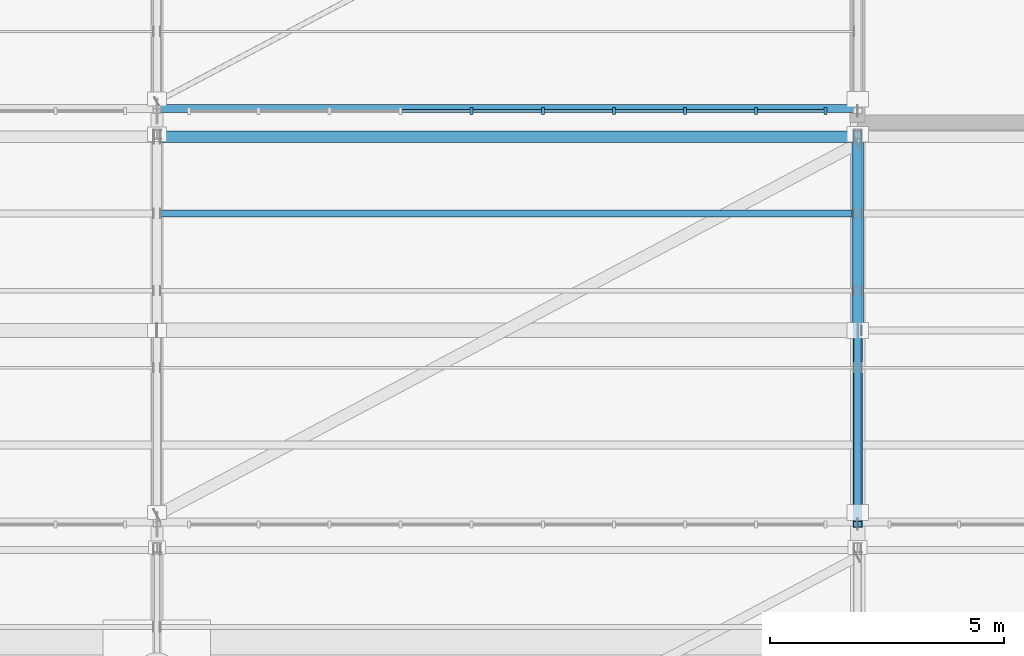
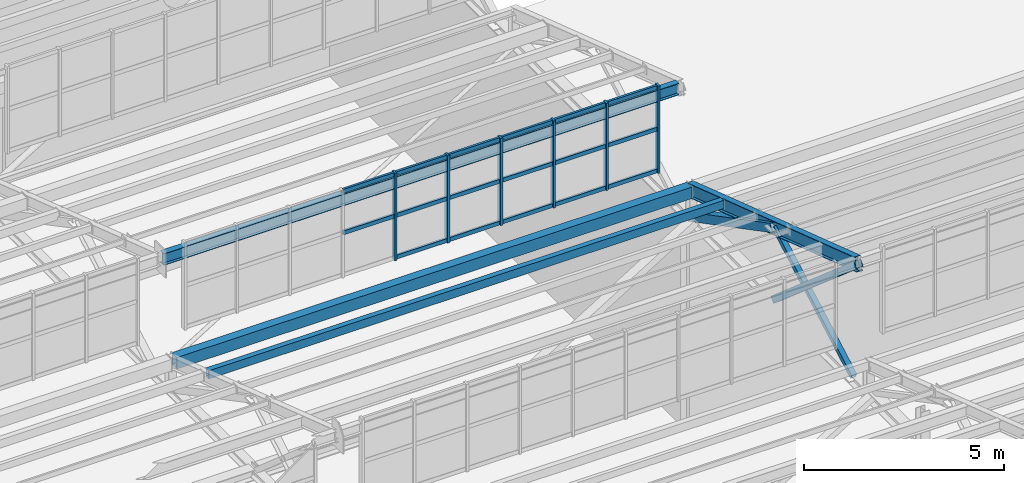
# One storey, part 75 of 285: 26 members, 4 beams, 1 element without a shape of its own.
"""IFC4 building model written with IfcOpenShell, lengths in metres."""

from ifc_helpers import new_model, si_unit, direction, frame, origin, origin_2d, place, context, subcontext, project, spatial, rectangle, hollow_rectangle, i_section, extrude, material, material_profile, profile_set, type_object, element, aggregate, save


model = new_model("IFC4")

# Units and contexts
model_context = context("Model", 3, precision=1e-05, world=origin(), true_north=direction((0.0, 1.0)))
body_context = subcontext(model_context, "Body", "Model", "MODEL_VIEW")
ifc_project = project(units=[si_unit("LENGTHUNIT", "METRE"), si_unit("AREAUNIT", "SQUARE_METRE"), si_unit("VOLUMEUNIT", "CUBIC_METRE"), si_unit("PLANEANGLEUNIT", "RADIAN"), si_unit("MASSUNIT", "GRAM", prefix="KILO")], contexts=[model_context])

# Site, building, storey
site_placement = place(None, origin())
site = spatial("IfcSite", under=ifc_project, at=site_placement, CompositionType="ELEMENT")
building_placement = place(site_placement, origin())
building = spatial("IfcBuilding", under=site, at=building_placement, Name="Solanera Park Tramway Depot", CompositionType="ELEMENT")
storey_placement = place(building_placement, origin())
storey = spatial("IfcBuildingStorey", under=building, at=storey_placement, Name="L00", CompositionType="ELEMENT", Elevation=0.0)

# Curtain wall, members
ifc_material_1 = material(Name="Bronze-anodised thermally broken aluminium curtain wall", Category="aluminium")
curtain_wall_type = type_object("IfcCurtainWallType", Name="Sawtooth Clerestory Monitor Curtain Wall", PredefinedType="NOTDEFINED", material=ifc_material_1)
curtain_wall_placement = place(storey_placement, origin())
curtain_wall = element("IfcCurtainWall", 1, at=curtain_wall_placement, inside=storey, type_object=curtain_wall_type, Name="L00 Sawtooth Clerestory Monitor Curtain Wall #062", PredefinedType="NOTDEFINED")
ifc_material_2 = material(Name="Bronze-anodised structural aluminium 6063-T6", Category="aluminium")
ifc_material_profile_1 = material_profile(ifc_material_2, rectangle(XDim=0.06494140625, YDim=0.14990234375, at=origin_2d()), Name="Curtain Wall Mullion 65x150")
ifc_profile_set_1 = profile_set([ifc_material_profile_1], Name="Bronze-anodised structural aluminium 6063-T6")
member_type_1 = type_object("IfcMemberType", Name="Curtain Wall Mullion 65x150", PredefinedType="MULLION", material=ifc_profile_set_1)
member_1_placement = place(storey_placement, frame((51.739013671875, 126.550048828125, 7.75), z_axis=(0.0, 0.0, 1.0), x_axis=(1.0, 0.0, 0.0)))
member_1 = element("IfcMember", 2, at=member_1_placement, type_object=member_type_1, Name="CW-L00-062 Mullion 5", PredefinedType="MULLION", context=body_context, shape_type="SweptSolid", body=[
    extrude(rectangle(XDim=0.06494140625, YDim=0.14990234375, at=origin_2d()), origin(), (0.0, 0.0, 1.0), 2.6611328125),
])
member_2_placement = place(storey_placement, frame((53.260986328125, 126.550048828125, 7.75), z_axis=(0.0, 0.0, 1.0), x_axis=(1.0, 0.0, 0.0)))
member_2 = element("IfcMember", 3, at=member_2_placement, type_object=member_type_1, Name="CW-L00-062 Mullion 6", PredefinedType="MULLION", context=body_context, shape_type="SweptSolid", body=[
    extrude(rectangle(XDim=0.06494140625, YDim=0.14990234375, at=origin_2d()), origin(), (0.0, 0.0, 1.0), 2.6611328125),
])
member_3_placement = place(storey_placement, frame((54.783203125, 126.550048828125, 7.75), z_axis=(0.0, 0.0, 1.0), x_axis=(1.0, 0.0, 0.0)))
member_3 = element("IfcMember", 4, at=member_3_placement, type_object=member_type_1, Name="CW-L00-062 Mullion 7", PredefinedType="MULLION", context=body_context, shape_type="SweptSolid", body=[
    extrude(rectangle(XDim=0.06494140625, YDim=0.14990234375, at=origin_2d()), origin(), (0.0, 0.0, 1.0), 2.6611328125),
])
member_4_placement = place(storey_placement, frame((56.3056640625, 126.550048828125, 7.75), z_axis=(0.0, 0.0, 1.0), x_axis=(1.0, 0.0, 0.0)))
member_4 = element("IfcMember", 5, at=member_4_placement, type_object=member_type_1, Name="CW-L00-062 Mullion 8", PredefinedType="MULLION", context=body_context, shape_type="SweptSolid", body=[
    extrude(rectangle(XDim=0.06494140625, YDim=0.14990234375, at=origin_2d()), origin(), (0.0, 0.0, 1.0), 2.6611328125),
])
member_5_placement = place(storey_placement, frame((57.827880859375, 126.550048828125, 7.75), z_axis=(0.0, 0.0, 1.0), x_axis=(1.0, 0.0, 0.0)))
member_5 = element("IfcMember", 6, at=member_5_placement, type_object=member_type_1, Name="CW-L00-062 Mullion 9", PredefinedType="MULLION", context=body_context, shape_type="SweptSolid", body=[
    extrude(rectangle(XDim=0.06494140625, YDim=0.14990234375, at=origin_2d()), origin(), (0.0, 0.0, 1.0), 2.6611328125),
])
member_6_placement = place(storey_placement, frame((59.3173828125, 126.550048828125, 7.75), z_axis=(0.0, 0.0, 1.0), x_axis=(1.0, 0.0, 0.0)))
member_6 = element("IfcMember", 7, at=member_6_placement, type_object=member_type_1, Name="CW-L00-062 Mullion 10", PredefinedType="MULLION", context=body_context, shape_type="SweptSolid", body=[
    extrude(rectangle(XDim=0.06494140625, YDim=0.14990234375, at=origin_2d()), origin(), (0.0, 0.0, 1.0), 2.6611328125),
])
ifc_material_3 = material(Name="Bronze-anodised structural aluminium 6063-T6", Category="aluminium")
ifc_material_profile_2 = material_profile(ifc_material_3, rectangle(XDim=0.06494140625, YDim=0.1201171875, at=origin_2d()), Name="Curtain Wall Transom 65x120")
ifc_profile_set_2 = profile_set([ifc_material_profile_2], Name="Bronze-anodised structural aluminium 6063-T6")
member_type_2 = type_object("IfcMemberType", Name="Curtain Wall Transom 65x120", PredefinedType="USERDEFINED", material=ifc_profile_set_2)
member_7_placement = place(storey_placement, frame((51.766845703125, 126.550048828125, 7.81005859375), z_axis=(1.0, 0.0, 0.0), x_axis=(0.0, 1.0, 0.0)))
member_7 = element("IfcMember", 8, at=member_7_placement, type_object=member_type_2, Name="CW-L00-062 Transom R1.C5", ObjectType="TRANSOM", PredefinedType="USERDEFINED", context=body_context, shape_type="SweptSolid", body=[
    extrude(rectangle(XDim=0.06494140625, YDim=0.1201171875, at=origin_2d()), origin(), (0.0, 0.0, 1.0), 1.46630859375),
])
member_8_placement = place(storey_placement, frame((53.2890625, 126.550048828125, 7.81005859375), z_axis=(1.0, 0.0, 0.0), x_axis=(0.0, 1.0, 0.0)))
member_8 = element("IfcMember", 9, at=member_8_placement, type_object=member_type_2, Name="CW-L00-062 Transom R1.C6", ObjectType="TRANSOM", PredefinedType="USERDEFINED", context=body_context, shape_type="SweptSolid", body=[
    extrude(rectangle(XDim=0.06494140625, YDim=0.1201171875, at=origin_2d()), origin(), (0.0, 0.0, 1.0), 1.46630859375),
])
member_9_placement = place(storey_placement, frame((54.811279296875, 126.550048828125, 7.81005859375), z_axis=(1.0, 0.0, 0.0), x_axis=(0.0, 1.0, 0.0)))
member_9 = element("IfcMember", 10, at=member_9_placement, type_object=member_type_2, Name="CW-L00-062 Transom R1.C7", ObjectType="TRANSOM", PredefinedType="USERDEFINED", context=body_context, shape_type="SweptSolid", body=[
    extrude(rectangle(XDim=0.06494140625, YDim=0.1201171875, at=origin_2d()), origin(), (0.0, 0.0, 1.0), 1.46630859375),
])
member_10_placement = place(storey_placement, frame((56.33349609375, 126.550048828125, 7.81005859375), z_axis=(1.0, 0.0, 0.0), x_axis=(0.0, 1.0, 0.0)))
member_10 = element("IfcMember", 11, at=member_10_placement, type_object=member_type_2, Name="CW-L00-062 Transom R1.C8", ObjectType="TRANSOM", PredefinedType="USERDEFINED", context=body_context, shape_type="SweptSolid", body=[
    extrude(rectangle(XDim=0.06494140625, YDim=0.1201171875, at=origin_2d()), origin(), (0.0, 0.0, 1.0), 1.46630859375),
])
member_11_placement = place(storey_placement, frame((57.855712890625, 126.550048828125, 7.81005859375), z_axis=(1.0, 0.0, 0.0), x_axis=(0.0, 1.0, 0.0)))
member_11 = element("IfcMember", 12, at=member_11_placement, type_object=member_type_2, Name="CW-L00-062 Transom R1.C9", ObjectType="TRANSOM", PredefinedType="USERDEFINED", context=body_context, shape_type="SweptSolid", body=[
    extrude(rectangle(XDim=0.06494140625, YDim=0.1201171875, at=origin_2d()), origin(), (0.0, 0.0, 1.0), 1.433837890625),
])
member_12_placement = place(storey_placement, frame((50.24462890625, 126.550048828125, 9.08056640625), z_axis=(1.0, 0.0, 0.0), x_axis=(0.0, 1.0, 0.0)))
member_12 = element("IfcMember", 13, at=member_12_placement, type_object=member_type_2, Name="CW-L00-062 Transom R2.C4", ObjectType="TRANSOM", PredefinedType="USERDEFINED", context=body_context, shape_type="SweptSolid", body=[
    extrude(rectangle(XDim=0.06494140625, YDim=0.1201171875, at=origin_2d()), origin(), (0.0, 0.0, 1.0), 1.46630859375),
])
member_13_placement = place(storey_placement, frame((51.766845703125, 126.550048828125, 9.08056640625), z_axis=(1.0, 0.0, 0.0), x_axis=(0.0, 1.0, 0.0)))
member_13 = element("IfcMember", 14, at=member_13_placement, type_object=member_type_2, Name="CW-L00-062 Transom R2.C5", ObjectType="TRANSOM", PredefinedType="USERDEFINED", context=body_context, shape_type="SweptSolid", body=[
    extrude(rectangle(XDim=0.06494140625, YDim=0.1201171875, at=origin_2d()), origin(), (0.0, 0.0, 1.0), 1.46630859375),
])
member_14_placement = place(storey_placement, frame((53.2890625, 126.550048828125, 9.08056640625), z_axis=(1.0, 0.0, 0.0), x_axis=(0.0, 1.0, 0.0)))
member_14 = element("IfcMember", 15, at=member_14_placement, type_object=member_type_2, Name="CW-L00-062 Transom R2.C6", ObjectType="TRANSOM", PredefinedType="USERDEFINED", context=body_context, shape_type="SweptSolid", body=[
    extrude(rectangle(XDim=0.06494140625, YDim=0.1201171875, at=origin_2d()), origin(), (0.0, 0.0, 1.0), 1.46630859375),
])
member_15_placement = place(storey_placement, frame((54.811279296875, 126.550048828125, 9.08056640625), z_axis=(1.0, 0.0, 0.0), x_axis=(0.0, 1.0, 0.0)))
member_15 = element("IfcMember", 16, at=member_15_placement, type_object=member_type_2, Name="CW-L00-062 Transom R2.C7", ObjectType="TRANSOM", PredefinedType="USERDEFINED", context=body_context, shape_type="SweptSolid", body=[
    extrude(rectangle(XDim=0.06494140625, YDim=0.1201171875, at=origin_2d()), origin(), (0.0, 0.0, 1.0), 1.46630859375),
])
member_16_placement = place(storey_placement, frame((56.33349609375, 126.550048828125, 9.08056640625), z_axis=(1.0, 0.0, 0.0), x_axis=(0.0, 1.0, 0.0)))
member_16 = element("IfcMember", 17, at=member_16_placement, type_object=member_type_2, Name="CW-L00-062 Transom R2.C8", ObjectType="TRANSOM", PredefinedType="USERDEFINED", context=body_context, shape_type="SweptSolid", body=[
    extrude(rectangle(XDim=0.06494140625, YDim=0.1201171875, at=origin_2d()), origin(), (0.0, 0.0, 1.0), 1.46630859375),
])
member_17_placement = place(storey_placement, frame((57.855712890625, 126.550048828125, 9.08056640625), z_axis=(1.0, 0.0, 0.0), x_axis=(0.0, 1.0, 0.0)))
member_17 = element("IfcMember", 18, at=member_17_placement, type_object=member_type_2, Name="CW-L00-062 Transom R2.C9", ObjectType="TRANSOM", PredefinedType="USERDEFINED", context=body_context, shape_type="SweptSolid", body=[
    extrude(rectangle(XDim=0.06494140625, YDim=0.1201171875, at=origin_2d()), origin(), (0.0, 0.0, 1.0), 1.433837890625),
])
member_18_placement = place(storey_placement, frame((50.24462890625, 126.550048828125, 10.351318359375), z_axis=(1.0, 0.0, 0.0), x_axis=(0.0, 1.0, 0.0)))
member_18 = element("IfcMember", 19, at=member_18_placement, type_object=member_type_2, Name="CW-L00-062 Transom R3.C4", ObjectType="TRANSOM", PredefinedType="USERDEFINED", context=body_context, shape_type="SweptSolid", body=[
    extrude(rectangle(XDim=0.06494140625, YDim=0.1201171875, at=origin_2d()), origin(), (0.0, 0.0, 1.0), 1.46630859375),
])
member_19_placement = place(storey_placement, frame((51.766845703125, 126.550048828125, 10.351318359375), z_axis=(1.0, 0.0, 0.0), x_axis=(0.0, 1.0, 0.0)))
member_19 = element("IfcMember", 20, at=member_19_placement, type_object=member_type_2, Name="CW-L00-062 Transom R3.C5", ObjectType="TRANSOM", PredefinedType="USERDEFINED", context=body_context, shape_type="SweptSolid", body=[
    extrude(rectangle(XDim=0.06494140625, YDim=0.1201171875, at=origin_2d()), origin(), (0.0, 0.0, 1.0), 1.46630859375),
])
member_20_placement = place(storey_placement, frame((53.2890625, 126.550048828125, 10.351318359375), z_axis=(1.0, 0.0, 0.0), x_axis=(0.0, 1.0, 0.0)))
member_20 = element("IfcMember", 21, at=member_20_placement, type_object=member_type_2, Name="CW-L00-062 Transom R3.C6", ObjectType="TRANSOM", PredefinedType="USERDEFINED", context=body_context, shape_type="SweptSolid", body=[
    extrude(rectangle(XDim=0.06494140625, YDim=0.1201171875, at=origin_2d()), origin(), (0.0, 0.0, 1.0), 1.46630859375),
])
member_21_placement = place(storey_placement, frame((54.811279296875, 126.550048828125, 10.351318359375), z_axis=(1.0, 0.0, 0.0), x_axis=(0.0, 1.0, 0.0)))
member_21 = element("IfcMember", 22, at=member_21_placement, type_object=member_type_2, Name="CW-L00-062 Transom R3.C7", ObjectType="TRANSOM", PredefinedType="USERDEFINED", context=body_context, shape_type="SweptSolid", body=[
    extrude(rectangle(XDim=0.06494140625, YDim=0.1201171875, at=origin_2d()), origin(), (0.0, 0.0, 1.0), 1.46630859375),
])
member_22_placement = place(storey_placement, frame((56.33349609375, 126.550048828125, 10.351318359375), z_axis=(1.0, 0.0, 0.0), x_axis=(0.0, 1.0, 0.0)))
member_22 = element("IfcMember", 23, at=member_22_placement, type_object=member_type_2, Name="CW-L00-062 Transom R3.C8", ObjectType="TRANSOM", PredefinedType="USERDEFINED", context=body_context, shape_type="SweptSolid", body=[
    extrude(rectangle(XDim=0.06494140625, YDim=0.1201171875, at=origin_2d()), origin(), (0.0, 0.0, 1.0), 1.46630859375),
])
member_23_placement = place(storey_placement, frame((57.855712890625, 126.550048828125, 10.351318359375), z_axis=(1.0, 0.0, 0.0), x_axis=(0.0, 1.0, 0.0)))
member_23 = element("IfcMember", 24, at=member_23_placement, type_object=member_type_2, Name="CW-L00-062 Transom R3.C9", ObjectType="TRANSOM", PredefinedType="USERDEFINED", context=body_context, shape_type="SweptSolid", body=[
    extrude(rectangle(XDim=0.06494140625, YDim=0.1201171875, at=origin_2d()), origin(), (0.0, 0.0, 1.0), 1.433837890625),
])
aggregate(curtain_wall, [member_1, member_2, member_3, member_4, member_5, member_6, member_7, member_8, member_9, member_10, member_11, member_12, member_13, member_14, member_15, member_16, member_17, member_18, member_19, member_20, member_21, member_22, member_23])

# Member
ifc_material_4 = material(Name="Steel AS/NZS 1163 Grade C350L0", Category="steel")
ifc_material_profile_3 = material_profile(ifc_material_4, hollow_rectangle(XDim=0.14990234375, YDim=0.14990234375, WallThickness=0.006103515625, at=origin_2d()), Name="150x150x6.0 SHS")
ifc_profile_set_3 = profile_set([ifc_material_profile_3], Name="Steel AS/NZS 1163 Grade C350L0")
member_type_3 = type_object("IfcMemberType", Name="Roof Gantry Compression Strut 150x150x6.0 SHS", PredefinedType="STRUT", material=ifc_profile_set_3)
member_24_placement = place(storey_placement, frame((60.0, 117.949951171875, 6.5), z_axis=(0.0, 0.871644015716, 0.490139480011), x_axis=(-1.0, 0.0, 0.0)))
element("IfcMember", 25, at=member_24_placement, inside=storey, type_object=member_type_3, Name="Sawtooth ROOF TRUSS Strut 150x150x6.0 SHS #0334", PredefinedType="STRUT", context=body_context, shape_type="SweptSolid", body=[
    extrude(hollow_rectangle(XDim=0.14990234375, YDim=0.14990234375, WallThickness=0.006103515625, at=origin_2d()), origin(), (0.0, 0.0, 1.0), 4.474365234375),
])

# Beams
ifc_material_5 = material(Name="Steel AS/NZS 3679.1 Grade 350", Category="steel")
ifc_material_profile_4 = material_profile(ifc_material_5, i_section(OverallWidth=0.177734375, OverallDepth=0.406494140625, WebThickness=0.0078125, FlangeThickness=0.0126953125, at=origin_2d()), Name="410UB59.7")
ifc_profile_set_4 = profile_set([ifc_material_profile_4], Name="Steel AS/NZS 3679.1 Grade 350")
beam_type_1 = type_object("IfcBeamType", Name="Steel Beam 410UB59.7", PredefinedType="BEAM", material=ifc_profile_set_4)
beam_1_placement = place(storey_placement, frame((60.0, 117.699951171875, 10.08154296875), z_axis=(0.0, 0.948322229475, -0.317308917435), x_axis=(-1.0, 0.0, 0.0)))
element("IfcBeam", 26, at=beam_1_placement, inside=storey, type_object=beam_type_1, Name="Sawtooth ROOF TRUSS Top Rafter 410UB59.7 B08-T5", PredefinedType="BEAM", context=body_context, shape_type="SweptSolid", body=[
    extrude(i_section(OverallWidth=0.177734375, OverallDepth=0.406494140625, WebThickness=0.0078125, FlangeThickness=0.0126953125, at=origin_2d()), origin(), (0.0, 0.0, 1.0), 8.80517578125),
])
ifc_material_6 = material(Name="Steel AS/NZS 1163 Grade C350L0", Category="steel")
ifc_material_profile_5 = material_profile(ifc_material_6, hollow_rectangle(XDim=0.14990234375, YDim=0.25, WallThickness=0.008056640625, at=origin_2d()), Name="250x150x8.0 RHS")
ifc_profile_set_5 = profile_set([ifc_material_profile_5], Name="Steel AS/NZS 1163 Grade C350L0")
beam_type_2 = type_object("IfcBeamType", Name="Steel Joist Purlin 250x150x8.0 RHS", PredefinedType="JOIST", material=ifc_profile_set_5)
beam_2_placement = place(storey_placement, frame((45.077880859375, 124.35009765625, 7.931640625), z_axis=(1.0, 0.0, 0.0), x_axis=(0.0, 1.0, 0.0)))
element("IfcBeam", 27, at=beam_2_placement, inside=storey, type_object=beam_type_2, Name="Sawtooth Roof Purlin 250x150x8.0 RHS B08.5", PredefinedType="JOIST", context=body_context, shape_type="SweptSolid", body=[
    extrude(hollow_rectangle(XDim=0.14990234375, YDim=0.25, WallThickness=0.008056640625, at=origin_2d()), origin(), (0.0, 0.0, 1.0), 14.84130859375),
])
ifc_material_7 = material(Name="Steel AS/NZS 1163 Grade C350L0", Category="steel")
ifc_material_profile_6 = material_profile(ifc_material_7, hollow_rectangle(XDim=0.25, YDim=0.35009765625, WallThickness=0.010009765625, at=origin_2d()), Name="350x250x10.0 RHS")
ifc_profile_set_6 = profile_set([ifc_material_profile_6], Name="Steel AS/NZS 1163 Grade C350L0")
beam_type_3 = type_object("IfcBeamType", Name="Steel Joist Purlin 350x250x10.0 RHS", PredefinedType="JOIST", material=ifc_profile_set_6)
beam_3_placement = place(storey_placement, frame((45.077880859375, 126.0, 7.312744140625), z_axis=(1.0, 0.0, 0.0), x_axis=(0.0, 1.0, 0.0)))
element("IfcBeam", 28, at=beam_3_placement, inside=storey, type_object=beam_type_3, Name="Sawtooth Roof Purlin 350x250x10.0 RHS B08.6", PredefinedType="JOIST", context=body_context, shape_type="SweptSolid", body=[
    extrude(hollow_rectangle(XDim=0.25, YDim=0.35009765625, WallThickness=0.010009765625, at=origin_2d()), origin(), (0.0, 0.0, 1.0), 14.84130859375),
])
ifc_material_8 = material(Name="Steel AS/NZS 3679.1 Grade 350", Category="steel")
ifc_material_profile_7 = material_profile(ifc_material_8, i_section(OverallWidth=0.17138671875, OverallDepth=0.355712890625, WebThickness=0.00732421875, FlangeThickness=0.011474609375, at=origin_2d()), Name="360UB50.7")
ifc_profile_set_7 = profile_set([ifc_material_profile_7], Name="Steel AS/NZS 3679.1 Grade 350")
beam_type_4 = type_object("IfcBeamType", Name="Steel Joist Purlin 360UB50.7", PredefinedType="JOIST", material=ifc_profile_set_7)
beam_4_placement = place(storey_placement, frame((45.077880859375, 126.60009765625, 10.08349609375), z_axis=(1.0, 0.0, 0.0), x_axis=(0.0, 1.0, 0.0)))
element("IfcBeam", 29, at=beam_4_placement, inside=storey, type_object=beam_type_4, Name="Sawtooth Roof Purlin 360UB50.7 B09.1", PredefinedType="JOIST", context=body_context, shape_type="SweptSolid", body=[
    extrude(i_section(OverallWidth=0.17138671875, OverallDepth=0.355712890625, WebThickness=0.00732421875, FlangeThickness=0.011474609375, at=origin_2d()), origin(), (0.0, 0.0, 1.0), 14.84130859375),
])

# Members
ifc_material_9 = material(Name="Steel AS/NZS 1163 Grade C350L0", Category="steel")
ifc_material_profile_8 = material_profile(ifc_material_9, hollow_rectangle(XDim=0.199951171875, YDim=0.199951171875, WallThickness=0.008056640625, at=origin_2d()), Name="200x200x8.0 SHS")
ifc_profile_set_8 = profile_set([ifc_material_profile_8], Name="Steel AS/NZS 1163 Grade C350L0")
member_type_4 = type_object("IfcMemberType", Name="Truss and Frame Brace 200x200x8.0 SHS", PredefinedType="BRACE", material=ifc_profile_set_8)
member_25_placement = place(storey_placement, frame((60.0, 121.85009765625, 6.5), z_axis=(0.0, -0.757064292854, 0.653340383327), x_axis=(1.0, 0.0, 0.0)))
element("IfcMember", 30, at=member_25_placement, inside=storey, type_object=member_type_4, Name="Sawtooth ROOF TRUSS Web Brace 200x200x8.0 SHS #0332", PredefinedType="BRACE", context=body_context, shape_type="SweptSolid", body=[
    extrude(hollow_rectangle(XDim=0.199951171875, YDim=0.199951171875, WallThickness=0.008056640625, at=origin_2d()), origin(), (0.0, 0.0, 1.0), 5.48193359375),
])
ifc_material_10 = material(Name="Steel AS/NZS 1163 Grade C350L0", Category="steel")
ifc_material_profile_9 = material_profile(ifc_material_10, hollow_rectangle(XDim=0.25, YDim=0.25, WallThickness=0.010009765625, at=origin_2d()), Name="250x250x10.0 SHS")
ifc_profile_set_9 = profile_set([ifc_material_profile_9], Name="Steel AS/NZS 1163 Grade C350L0")
member_type_5 = type_object("IfcMemberType", Name="Truss and Frame Brace 250x250x10.0 SHS", PredefinedType="BRACE", material=ifc_profile_set_9)
member_26_placement = place(storey_placement, frame((60.0, 126.050048828125, 6.5), z_axis=(0.0, -0.886425847493, 0.462870626521), x_axis=(1.0, 0.0, 0.0)))
element("IfcMember", 31, at=member_26_placement, inside=storey, type_object=member_type_5, Name="Sawtooth ROOF TRUSS Diagonal 250x250x10.0 SHS #0333", PredefinedType="BRACE", context=body_context, shape_type="SweptSolid", body=[
    extrude(hollow_rectangle(XDim=0.25, YDim=0.25, WallThickness=0.010009765625, at=origin_2d()), origin(), (0.0, 0.0, 1.0), 4.738037109375),
])

save(model, "model.ifc")
